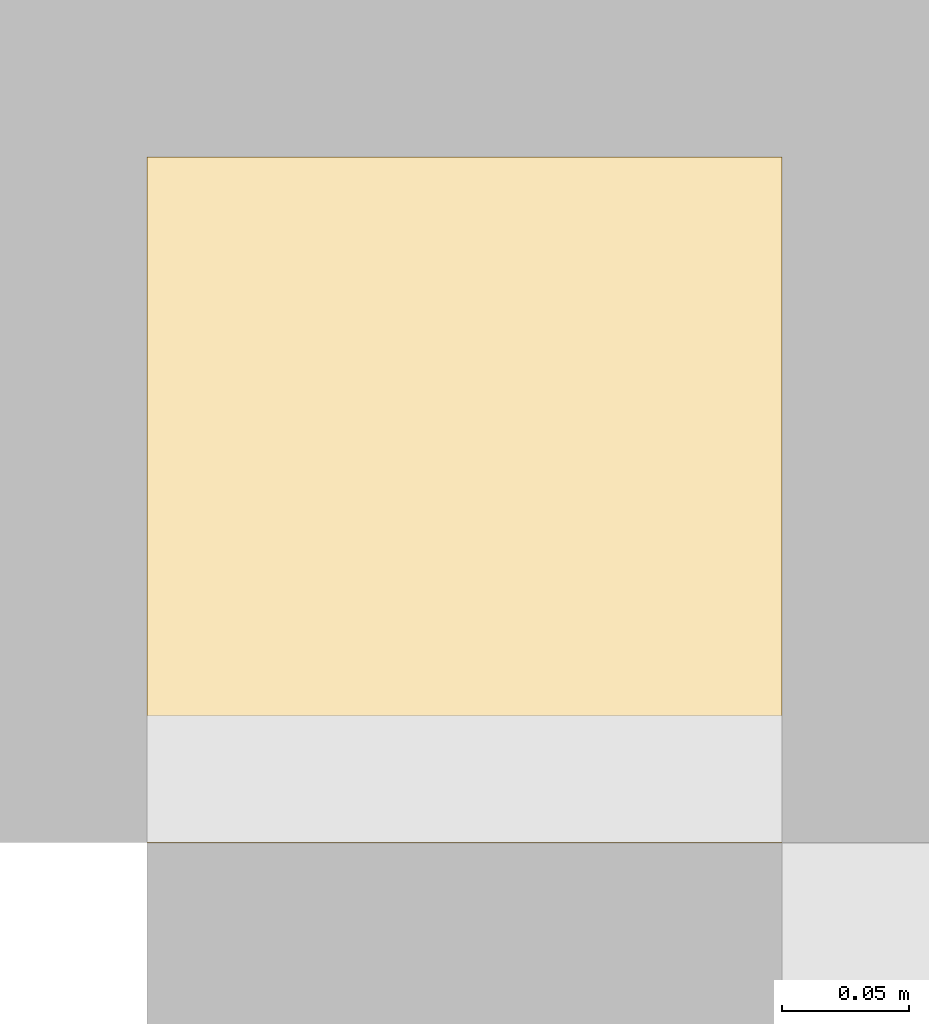
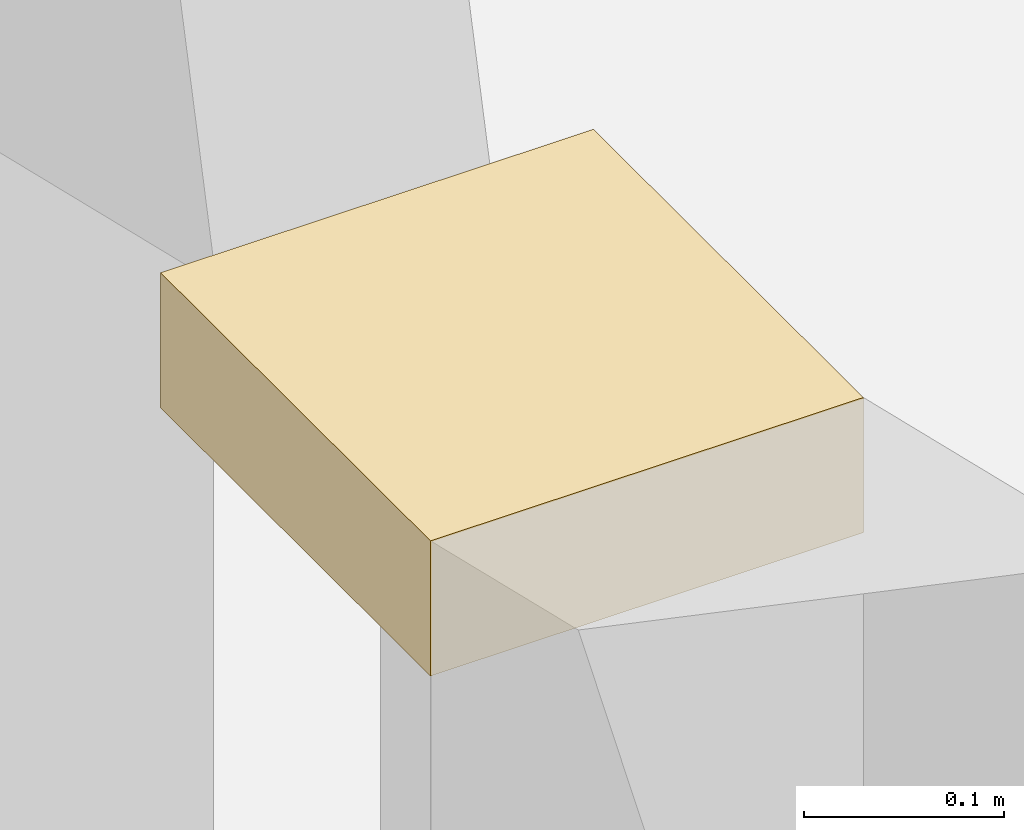
# One storey, part 82 of 82: 1 covering.
"""IFC4 building model written with IfcOpenShell, lengths in metres."""

from ifc_helpers import new_model, si_unit, direction, frame, origin, origin_2d, place, context, subcontext, project, spatial, rectangle, extrude, material, layer, layer_set, type_object, element, save


model = new_model("IFC4")

# Units and contexts
model_context = context("Model", 3, precision=1e-05, world=origin(), true_north=direction((0.0, 1.0)))
body_context = subcontext(model_context, "Body", "Model", "MODEL_VIEW")
ifc_project = project(units=[si_unit("LENGTHUNIT", "METRE"), si_unit("AREAUNIT", "SQUARE_METRE"), si_unit("VOLUMEUNIT", "CUBIC_METRE"), si_unit("PLANEANGLEUNIT", "RADIAN"), si_unit("MASSUNIT", "GRAM", prefix="KILO")], contexts=[model_context])

# Site, building, storey
site_placement = place(None, origin())
site = spatial("IfcSite", under=ifc_project, at=site_placement, CompositionType="ELEMENT")
building_placement = place(site_placement, origin())
building = spatial("IfcBuilding", under=site, at=building_placement, Name="Almond Square Museum", CompositionType="ELEMENT")
storey_placement = place(building_placement, frame((0.0, 0.0, 20.0)))
storey = spatial("IfcBuildingStorey", under=building, at=storey_placement, Name="L03", CompositionType="ELEMENT", Elevation=20.0)

# Covering
ifc_material = material(Name="Cladding panel to match the wall")
ifc_layer = layer(ifc_material, 0.050048828125)
ifc_layer_set = layer_set([ifc_layer], Name="Cladding panel to match the wall")
covering_type = type_object("IfcCoveringType", Name="Wall end closure panel", PredefinedType="CLADDING", material=ifc_layer_set)
covering_placement = place(storey_placement, frame((39.60009765625, 100.5849609375, 6.35009765625), z_axis=(0.0, 0.0, 1.0), x_axis=(1.0, 0.0, 0.0)))
element("IfcCovering", 1, at=covering_placement, inside=storey, type_object=covering_type, Name="Wall end closure panel", PredefinedType="CLADDING", context=body_context, shape_type="SweptSolid", body=[
    extrude(rectangle(XDim=0.25, YDim=0.27001953125, at=origin_2d()), origin(), (0.0, 0.0, 1.0), 0.08251953125),
])

save(model, "model.ifc")
